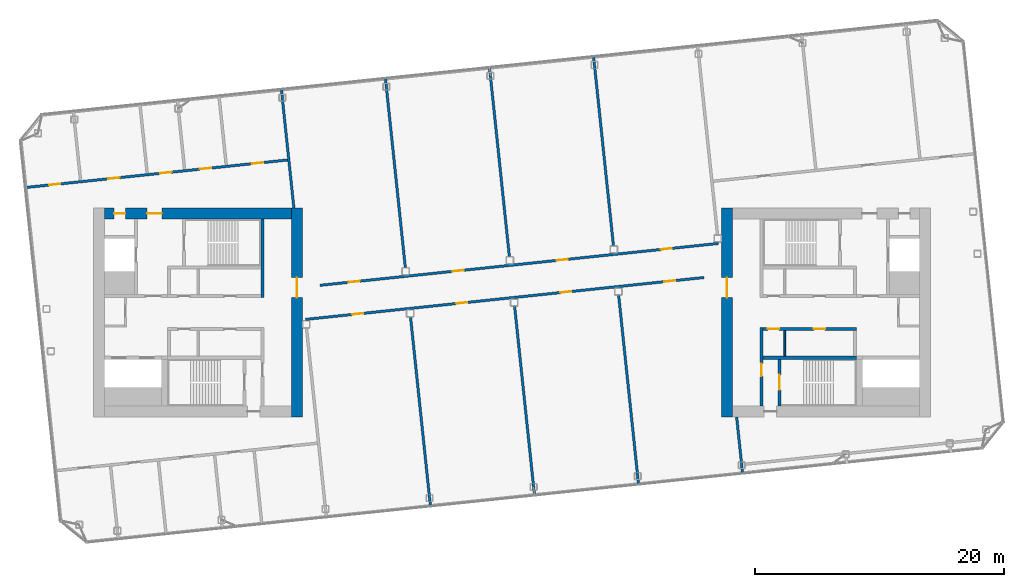
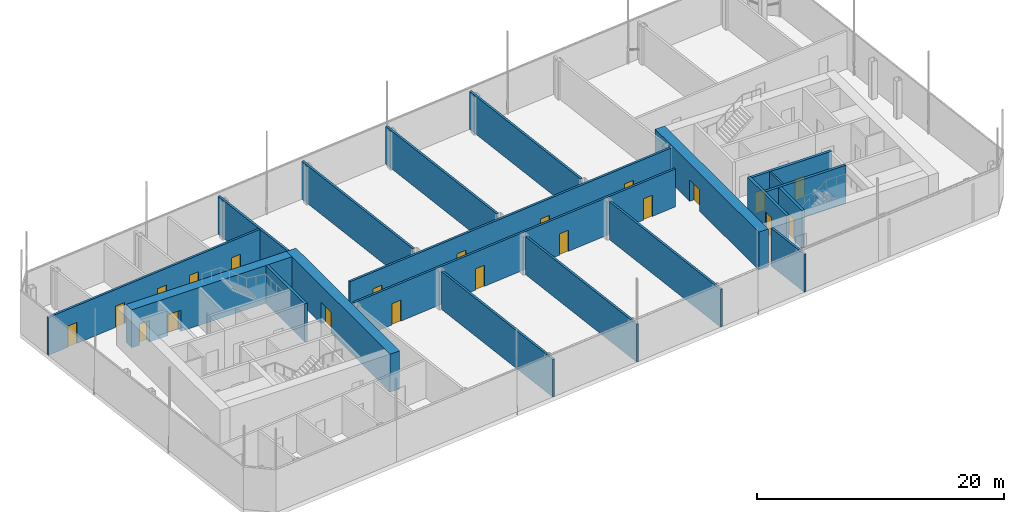
# One storey, part 18 of 41: 21 doors, 20 walls, 21 openings.
"""IFC4 building model written with IfcOpenShell, lengths in metres."""

from ifc_helpers import new_model, si_unit, direction, frame, frame_2d, origin, place, context, subcontext, project, spatial, rectangle, extrude, material, layer, layer_set, type_object, element, fill, save


model = new_model("IFC4")

# Units and contexts
model_context = context("Model", 3, precision=1e-05, world=origin(), true_north=direction((0.0, 1.0)))
body_context = subcontext(model_context, "Body", "Model", "MODEL_VIEW")
ifc_project = project(units=[si_unit("LENGTHUNIT", "METRE"), si_unit("AREAUNIT", "SQUARE_METRE"), si_unit("VOLUMEUNIT", "CUBIC_METRE"), si_unit("PLANEANGLEUNIT", "RADIAN"), si_unit("MASSUNIT", "GRAM", prefix="KILO")], contexts=[model_context])

# Site, building, storey
site_placement = place(None, origin())
site = spatial("IfcSite", under=ifc_project, at=site_placement, CompositionType="ELEMENT")
building_placement = place(site_placement, origin())
building = spatial("IfcBuilding", under=site, at=building_placement, Name="Hakoniwa Tower and Hamabe Station Hall", CompositionType="ELEMENT")
storey_placement = place(building_placement, frame((0.0, 0.0, 276.60009765625)))
storey = spatial("IfcBuildingStorey", under=building, at=storey_placement, Name="L77", CompositionType="ELEMENT", Elevation=276.60009765625)

# Wall
ifc_material_1 = material(Name="Gypsum board partition")
ifc_layer_1 = layer(ifc_material_1, 0.14990234375)
ifc_layer_set_1 = layer_set([ifc_layer_1], Name="CORE PARTITION 150 EI 60")
wall_type_1 = type_object("IfcWallType", Name="CORE PARTITION 150 EI 60", PredefinedType="PARTITIONING", material=ifc_layer_set_1)
wall_1_placement = place(storey_placement, frame((21.89990234375, -3.5, 0.0), z_axis=(0.0, 0.0, 1.0), x_axis=(0.0, 1.0, 0.0)))
element("IfcWall", 1, at=wall_1_placement, inside=storey, type_object=wall_type_1, Name="Core partition PFHR0 east", PredefinedType="PARTITIONING", context=body_context, shape_type="SweptSolid", body=[
    extrude(rectangle(XDim=2.050048828125, YDim=0.14990234375, at=frame_2d((1.02490234375, 0.0))), origin(), (0.0, 0.0, 1.0), 3.75),
])

# Wall, opening, door
ifc_material_2 = material(Name="Concrete C60", Category="concrete")
ifc_layer_2 = layer(ifc_material_2, 0.89990234375)
ifc_layer_set_2 = layer_set([ifc_layer_2], Name="CORE WALL 900 C60")
wall_type_2 = type_object("IfcWallType", Name="CORE WALL 900 C60", PredefinedType="SHEAR", material=ifc_layer_set_2)
wall_2_placement = place(storey_placement, frame((-17.25, -8.39990234375, 0.0), z_axis=(0.0, 0.0, 1.0), x_axis=(0.0, 1.0, 0.0)))
wall_2 = element("IfcWall", 2, at=wall_2_placement, inside=storey, type_object=wall_type_2, Name="Core wall INNER west", PredefinedType="SHEAR", context=body_context, shape_type="SweptSolid", body=[
    extrude(rectangle(XDim=16.7998046875, YDim=0.89990234375, at=frame_2d((8.39990234375, 0.0))), origin(), (0.0, 0.0, 1.0), 3.75),
])
opening_1_placement = place(wall_2_placement, frame((9.60009765625, 0.0, 0.0)))
opening_1 = element("IfcOpeningElement", 3, at=opening_1_placement, cuts=wall_2, Name="Opening CD-W-IN1-16", PredefinedType="OPENING", context=body_context, shape_type="SweptSolid", body=[
    extrude(rectangle(XDim=1.60009765625, YDim=2.10009765625, at=frame_2d((0.800048828125, 1.050048828125))), frame((0.0, 0.4599609375, 0.0), z_axis=(0.0, -1.0, 0.0), x_axis=(1.0, 0.0, 0.0)), (0.0, 0.0, 1.0), 0.919921875),
])
ifc_material_3 = material(Name="Steel fire door", Category="steel")
door_type_1 = type_object("IfcDoorType", Name="CORE DOOR 1600 FD60", OperationType="DOUBLE_DOOR_SINGLE_SWING", PredefinedType="DOOR", material=ifc_material_3)
door_1_placement = place(opening_1_placement, origin())
door_1 = element("IfcDoor", 4, at=door_1_placement, inside=storey, type_object=door_type_1, Name="Lift lobby door", OperationType="DOUBLE_DOOR_SINGLE_SWING", OverallHeight=2.10009765625, OverallWidth=1.60009765625, PredefinedType="DOOR", context=body_context, shape_type="SweptSolid", body=[
    extrude(rectangle(XDim=1.60009765625, YDim=2.10009765625, at=frame_2d((0.800048828125, 1.050048828125))), frame((0.0, 0.02490234375, 0.0), z_axis=(0.0, -1.0, 0.0), x_axis=(1.0, 0.0, 0.0)), (0.0, 0.0, 1.0), 0.050048828125),
])
fill(opening_1, door_1)

# Wall, openings, doors
wall_3_placement = place(storey_placement, frame((-32.699951171875, 7.949951171875, 0.0), z_axis=(0.0, 0.0, 1.0), x_axis=(1.0, 0.0, 0.0)))
wall_3 = element("IfcWall", 5, at=wall_3_placement, inside=storey, type_object=wall_type_2, Name="Core wall NORTH west", PredefinedType="SHEAR", context=body_context, shape_type="SweptSolid", body=[
    extrude(rectangle(XDim=15.0, YDim=0.89990234375, at=frame_2d((7.5, 0.0))), origin(), (0.0, 0.0, 1.0), 3.75),
])
opening_2_placement = place(wall_3_placement, frame((3.39990234375, 0.0, 0.0)))
opening_2 = element("IfcOpeningElement", 6, at=opening_2_placement, cuts=wall_3, Name="Opening CD-W-FN1-12", PredefinedType="OPENING", context=body_context, shape_type="SweptSolid", body=[
    extrude(rectangle(XDim=1.199951171875, YDim=2.10009765625, at=frame_2d((0.60009765625, 1.050048828125))), frame((0.0, 0.4599609375, 0.0), z_axis=(0.0, -1.0, 0.0), x_axis=(1.0, 0.0, 0.0)), (0.0, 0.0, 1.0), 0.919921875),
])
opening_3_placement = place(wall_3_placement, frame((0.75, 0.0, 0.0)))
opening_3 = element("IfcOpeningElement", 7, at=opening_3_placement, cuts=wall_3, Name="Opening CD-W-FN2-9", PredefinedType="OPENING", context=body_context, shape_type="SweptSolid", body=[
    extrude(rectangle(XDim=0.89990234375, YDim=2.10009765625, at=frame_2d((0.449951171875, 1.050048828125))), frame((0.0, 0.4599609375, 0.0), z_axis=(0.0, -1.0, 0.0), x_axis=(1.0, 0.0, 0.0)), (0.0, 0.0, 1.0), 0.919921875),
])
ifc_material_4 = material(Name="Steel fire door", Category="steel")
door_type_2 = type_object("IfcDoorType", Name="CORE DOOR 1200 FD60", OperationType="DOUBLE_DOOR_SINGLE_SWING", PredefinedType="DOOR", material=ifc_material_4)
door_2_placement = place(opening_2_placement, origin())
door_2 = element("IfcDoor", 8, at=door_2_placement, inside=storey, type_object=door_type_2, Name="Stair vestibule door to the fire-fighting lobby", OperationType="DOUBLE_DOOR_SINGLE_SWING", OverallHeight=2.10009765625, OverallWidth=1.199951171875, PredefinedType="DOOR", context=body_context, shape_type="SweptSolid", body=[
    extrude(rectangle(XDim=1.199951171875, YDim=2.10009765625, at=frame_2d((0.60009765625, 1.050048828125))), frame((0.0, 0.02490234375, 0.0), z_axis=(0.0, -1.0, 0.0), x_axis=(1.0, 0.0, 0.0)), (0.0, 0.0, 1.0), 0.050048828125),
])
fill(opening_2, door_2)
ifc_material_5 = material(Name="Steel fire door", Category="steel")
door_type_3 = type_object("IfcDoorType", Name="CORE DOOR 900 FD30", OperationType="NOTDEFINED", PredefinedType="DOOR", material=ifc_material_5)
door_3_placement = place(opening_3_placement, origin())
door_3 = element("IfcDoor", 9, at=door_3_placement, inside=storey, type_object=door_type_3, Name="Riser access door", OperationType="SINGLE_SWING_RIGHT", OverallHeight=2.10009765625, OverallWidth=0.89990234375, PredefinedType="DOOR", context=body_context, shape_type="SweptSolid", body=[
    extrude(rectangle(XDim=0.89990234375, YDim=2.10009765625, at=frame_2d((0.449951171875, 1.050048828125))), frame((0.0, 0.02490234375, 0.0), z_axis=(0.0, -1.0, 0.0), x_axis=(1.0, 0.0, 0.0)), (0.0, 0.0, 1.0), 0.050048828125),
])
fill(opening_3, door_3)

# Wall, opening, door
wall_4_placement = place(storey_placement, frame((17.25, -8.39990234375, 0.0), z_axis=(0.0, 0.0, 1.0), x_axis=(0.0, 1.0, 0.0)))
wall_4 = element("IfcWall", 10, at=wall_4_placement, inside=storey, type_object=wall_type_2, Name="Core wall INNER east", PredefinedType="SHEAR", context=body_context, shape_type="SweptSolid", body=[
    extrude(rectangle(XDim=16.7998046875, YDim=0.89990234375, at=frame_2d((8.39990234375, 0.0))), origin(), (0.0, 0.0, 1.0), 3.75),
])
opening_4_placement = place(wall_4_placement, frame((9.60009765625, 0.0, 0.0)))
opening_4 = element("IfcOpeningElement", 11, at=opening_4_placement, cuts=wall_4, Name="Opening CD-E-IN1-16", PredefinedType="OPENING", context=body_context, shape_type="SweptSolid", body=[
    extrude(rectangle(XDim=1.60009765625, YDim=2.10009765625, at=frame_2d((0.800048828125, 1.050048828125))), frame((0.0, 0.4599609375, 0.0), z_axis=(0.0, -1.0, 0.0), x_axis=(1.0, 0.0, 0.0)), (0.0, 0.0, 1.0), 0.919921875),
])
door_4_placement = place(opening_4_placement, origin())
door_4 = element("IfcDoor", 12, at=door_4_placement, inside=storey, type_object=door_type_1, Name="Lift lobby door", OperationType="DOUBLE_DOOR_SINGLE_SWING", OverallHeight=2.10009765625, OverallWidth=1.60009765625, PredefinedType="DOOR", context=body_context, shape_type="SweptSolid", body=[
    extrude(rectangle(XDim=1.60009765625, YDim=2.10009765625, at=frame_2d((0.800048828125, 1.050048828125))), frame((0.0, 0.02490234375, 0.0), z_axis=(0.0, -1.0, 0.0), x_axis=(1.0, 0.0, 0.0)), (0.0, 0.0, 1.0), 0.050048828125),
])
fill(opening_4, door_4)

# Wall
ifc_material_6 = material(Name="Concrete C60", Category="concrete")
ifc_layer_3 = layer(ifc_material_6, 0.25)
ifc_layer_set_3 = layer_set([ifc_layer_3], Name="CORE WEB WALL 250 C60")
wall_type_3 = type_object("IfcWallType", Name="CORE WEB WALL 250 C60", PredefinedType="SHEAR", material=ifc_layer_set_3)
wall_5_placement = place(storey_placement, frame((-20.02490234375, 1.199951171875, 0.0), z_axis=(0.0, 0.0, 1.0), x_axis=(0.0, 1.0, 0.0)))
element("IfcWall", 13, at=wall_5_placement, inside=storey, type_object=wall_type_3, Name="Core wall W1N west", PredefinedType="SHEAR", context=body_context, shape_type="SweptSolid", body=[
    extrude(rectangle(XDim=6.300048828125, YDim=0.25, at=frame_2d((3.14990234375, 0.0))), origin(), (0.0, 0.0, 1.0), 3.75),
])

# Wall, opening, door
wall_6_placement = place(storey_placement, frame((20.02490234375, -7.5, 0.0), z_axis=(0.0, 0.0, 1.0), x_axis=(0.0, 1.0, 0.0)))
wall_6 = element("IfcWall", 14, at=wall_6_placement, inside=storey, type_object=wall_type_3, Name="Core wall W1S east", PredefinedType="SHEAR", context=body_context, shape_type="SweptSolid", body=[
    extrude(rectangle(XDim=6.300048828125, YDim=0.25, at=frame_2d((3.14990234375, 0.0))), origin(), (0.0, 0.0, 1.0), 3.75),
])
opening_5_placement = place(wall_6_placement, frame((2.39990234375, 0.0, 0.0)))
opening_5 = element("IfcOpeningElement", 15, at=opening_5_placement, cuts=wall_6, Name="Opening CD-E-VS-10", PredefinedType="OPENING", context=body_context, shape_type="SweptSolid", body=[
    extrude(rectangle(XDim=1.0, YDim=2.10009765625, at=frame_2d((0.5, 1.050048828125))), frame((0.0, 0.135009765625, 0.0), z_axis=(0.0, -1.0, 0.0), x_axis=(1.0, 0.0, 0.0)), (0.0, 0.0, 1.0), 0.27001953125),
])
ifc_material_7 = material(Name="Steel fire door", Category="steel")
door_type_4 = type_object("IfcDoorType", Name="CORE DOOR 1000 FD60", OperationType="NOTDEFINED", PredefinedType="DOOR", material=ifc_material_7)
door_5_placement = place(opening_5_placement, origin())
door_5 = element("IfcDoor", 16, at=door_5_placement, inside=storey, type_object=door_type_4, Name="Stair vestibule door", OperationType="SINGLE_SWING_RIGHT", OverallHeight=2.10009765625, OverallWidth=1.0, PredefinedType="DOOR", context=body_context, shape_type="SweptSolid", body=[
    extrude(rectangle(XDim=1.0, YDim=2.10009765625, at=frame_2d((0.5, 1.050048828125))), frame((0.0, 0.02490234375, 0.0), z_axis=(0.0, -1.0, 0.0), x_axis=(1.0, 0.0, 0.0)), (0.0, 0.0, 1.0), 0.050048828125),
])
fill(opening_5, door_5)

# Wall, openings, doors
wall_7_placement = place(storey_placement, frame((20.14990234375, -1.324951171875, 0.0), z_axis=(0.0, 0.0, 1.0), x_axis=(1.0, 0.0, 0.0)))
wall_7 = element("IfcWall", 17, at=wall_7_placement, inside=storey, type_object=wall_type_3, Name="Core wall SF east", PredefinedType="SHEAR", context=body_context, shape_type="SweptSolid", body=[
    extrude(rectangle(XDim=7.5, YDim=0.25, at=frame_2d((3.75, 0.0))), origin(), (0.0, 0.0, 1.0), 3.75),
])
opening_6_placement = place(wall_7_placement, frame((0.387451171875, 0.0, 0.0)))
opening_6 = element("IfcOpeningElement", 18, at=opening_6_placement, cuts=wall_7, Name="Opening CD-E-FRHR2-9", PredefinedType="OPENING", context=body_context, shape_type="SweptSolid", body=[
    extrude(rectangle(XDim=0.89990234375, YDim=2.10009765625, at=frame_2d((0.449951171875, 1.050048828125))), frame((0.0, 0.135009765625, 0.0), z_axis=(0.0, -1.0, 0.0), x_axis=(1.0, 0.0, 0.0)), (0.0, 0.0, 1.0), 0.27001953125),
])
opening_7_placement = place(wall_7_placement, frame((4.08740234375, 0.0, 0.0)))
opening_7 = element("IfcOpeningElement", 19, at=opening_7_placement, cuts=wall_7, Name="Opening CD-E-FRHR3-9", PredefinedType="OPENING", context=body_context, shape_type="SweptSolid", body=[
    extrude(rectangle(XDim=0.89990234375, YDim=2.10009765625, at=frame_2d((0.449951171875, 1.050048828125))), frame((0.0, 0.135009765625, 0.0), z_axis=(0.0, -1.0, 0.0), x_axis=(1.0, 0.0, 0.0)), (0.0, 0.0, 1.0), 0.27001953125),
])
door_6_placement = place(opening_6_placement, origin())
door_6 = element("IfcDoor", 20, at=door_6_placement, inside=storey, type_object=door_type_3, Name="Store room door", OperationType="SINGLE_SWING_RIGHT", OverallHeight=2.10009765625, OverallWidth=0.89990234375, PredefinedType="DOOR", context=body_context, shape_type="SweptSolid", body=[
    extrude(rectangle(XDim=0.89990234375, YDim=2.10009765625, at=frame_2d((0.449951171875, 1.050048828125))), frame((0.0, 0.02490234375, 0.0), z_axis=(0.0, -1.0, 0.0), x_axis=(1.0, 0.0, 0.0)), (0.0, 0.0, 1.0), 0.050048828125),
])
fill(opening_6, door_6)
door_7_placement = place(opening_7_placement, origin())
door_7 = element("IfcDoor", 21, at=door_7_placement, inside=storey, type_object=door_type_3, Name="Store room door", OperationType="SINGLE_SWING_RIGHT", OverallHeight=2.10009765625, OverallWidth=0.89990234375, PredefinedType="DOOR", context=body_context, shape_type="SweptSolid", body=[
    extrude(rectangle(XDim=0.89990234375, YDim=2.10009765625, at=frame_2d((0.449951171875, 1.050048828125))), frame((0.0, 0.02490234375, 0.0), z_axis=(0.0, -1.0, 0.0), x_axis=(1.0, 0.0, 0.0)), (0.0, 0.0, 1.0), 0.050048828125),
])
fill(opening_7, door_7)

# Wall
wall_8_placement = place(storey_placement, frame((20.14990234375, -3.625, 0.0), z_axis=(0.0, 0.0, 1.0), x_axis=(1.0, 0.0, 0.0)))
element("IfcWall", 22, at=wall_8_placement, inside=storey, type_object=wall_type_3, Name="Core wall SR east", PredefinedType="SHEAR", context=body_context, shape_type="SweptSolid", body=[
    extrude(rectangle(XDim=7.5, YDim=0.25, at=frame_2d((3.75, 0.0))), origin(), (0.0, 0.0, 1.0), 3.75),
])

# Wall, opening, door
wall_9_placement = place(storey_placement, frame((21.47509765625, -7.5, 0.0), z_axis=(0.0, 0.0, 1.0), x_axis=(0.0, 1.0, 0.0)))
wall_9 = element("IfcWall", 23, at=wall_9_placement, inside=storey, type_object=wall_type_3, Name="Core wall VE east", PredefinedType="SHEAR", context=body_context, shape_type="SweptSolid", body=[
    extrude(rectangle(XDim=3.75, YDim=0.25, at=frame_2d((1.875, 0.0))), origin(), (0.0, 0.0, 1.0), 3.75),
])
opening_8_placement = place(wall_9_placement, frame((1.300048828125, 0.0, 0.0)))
opening_8 = element("IfcOpeningElement", 24, at=opening_8_placement, cuts=wall_9, Name="Opening CD-E-SS-12", PredefinedType="OPENING", context=body_context, shape_type="SweptSolid", body=[
    extrude(rectangle(XDim=1.199951171875, YDim=2.10009765625, at=frame_2d((0.60009765625, 1.050048828125))), frame((0.0, 0.135009765625, 0.0), z_axis=(0.0, -1.0, 0.0), x_axis=(1.0, 0.0, 0.0)), (0.0, 0.0, 1.0), 0.27001953125),
])
door_8_placement = place(opening_8_placement, origin())
door_8 = element("IfcDoor", 25, at=door_8_placement, inside=storey, type_object=door_type_2, Name="Escape stair door", OperationType="DOUBLE_DOOR_SINGLE_SWING", OverallHeight=2.10009765625, OverallWidth=1.199951171875, PredefinedType="DOOR", context=body_context, shape_type="SweptSolid", body=[
    extrude(rectangle(XDim=1.199951171875, YDim=2.10009765625, at=frame_2d((0.60009765625, 1.050048828125))), frame((0.0, 0.02490234375, 0.0), z_axis=(0.0, -1.0, 0.0), x_axis=(1.0, 0.0, 0.0)), (0.0, 0.0, 1.0), 0.050048828125),
])
fill(opening_8, door_8)

# Wall, openings, doors
ifc_material_8 = material(Name="Fire-rated gypsum board partition", Category="gypsum")
ifc_layer_4 = layer(ifc_material_8, 0.199951171875)
ifc_layer_set_4 = layer_set([ifc_layer_4], Name="Corridor Wall 200")
wall_type_4 = type_object("IfcWallType", Name="Corridor Wall 200", PredefinedType="PARTITIONING", material=ifc_layer_set_4)
wall_10_placement = place(storey_placement, frame((-16.572021484375, -0.549072265625, 0.0), z_axis=(0.0, 0.0, 1.0), x_axis=(0.994521160982, 0.104535450248, 0.0)))
wall_10 = element("IfcWall", 26, at=wall_10_placement, inside=storey, type_object=wall_type_4, Name="GW-L77-003", PredefinedType="PARTITIONING", context=body_context, shape_type="SweptSolid", body=[
    extrude(rectangle(XDim=32.1689453125, YDim=0.199951171875, at=frame_2d((16.08447265625, 0.0))), origin(), (0.0, 0.0, 1.0), 3.75),
])
opening_9_placement = place(wall_10_placement, frame((3.75, 0.0, 0.0)))
opening_9 = element("IfcOpeningElement", 27, at=opening_9_placement, cuts=wall_10, Name="Opening GD-SL77-06", PredefinedType="OPENING", context=body_context, shape_type="SweptSolid", body=[
    extrude(rectangle(XDim=0.89990234375, YDim=2.10009765625, at=frame_2d((0.449951171875, 1.050048828125))), frame((0.0, 0.10986328125, 0.0), z_axis=(0.0, -1.0, 0.0), x_axis=(1.0, 0.0, 0.0)), (0.0, 0.0, 1.0), 0.219970703125),
])
opening_10_placement = place(wall_10_placement, frame((12.14990234375, 0.0, 0.0)))
opening_10 = element("IfcOpeningElement", 28, at=opening_10_placement, cuts=wall_10, Name="Opening GD-SL77-07", PredefinedType="OPENING", context=body_context, shape_type="SweptSolid", body=[
    extrude(rectangle(XDim=0.89990234375, YDim=2.10009765625, at=frame_2d((0.449951171875, 1.050048828125))), frame((0.0, 0.10986328125, 0.0), z_axis=(0.0, -1.0, 0.0), x_axis=(1.0, 0.0, 0.0)), (0.0, 0.0, 1.0), 0.219970703125),
])
opening_11_placement = place(wall_10_placement, frame((20.550048828125, 0.0, 0.0)))
opening_11 = element("IfcOpeningElement", 29, at=opening_11_placement, cuts=wall_10, Name="Opening GD-SL77-08", PredefinedType="OPENING", context=body_context, shape_type="SweptSolid", body=[
    extrude(rectangle(XDim=0.89990234375, YDim=2.10009765625, at=frame_2d((0.449951171875, 1.050048828125))), frame((0.0, 0.10986328125, 0.0), z_axis=(0.0, -1.0, 0.0), x_axis=(1.0, 0.0, 0.0)), (0.0, 0.0, 1.0), 0.219970703125),
])
opening_12_placement = place(wall_10_placement, frame((28.949951171875, 0.0, 0.0)))
opening_12 = element("IfcOpeningElement", 30, at=opening_12_placement, cuts=wall_10, Name="Opening GD-SL77-09", PredefinedType="OPENING", context=body_context, shape_type="SweptSolid", body=[
    extrude(rectangle(XDim=0.89990234375, YDim=2.10009765625, at=frame_2d((0.449951171875, 1.050048828125))), frame((0.0, 0.10986328125, 0.0), z_axis=(0.0, -1.0, 0.0), x_axis=(1.0, 0.0, 0.0)), (0.0, 0.0, 1.0), 0.219970703125),
])
ifc_material_9 = material(Name="Timber door leaf", Category="wood")
door_type_5 = type_object("IfcDoorType", Name="Service Door 900", OperationType="SINGLE_SWING_LEFT", PredefinedType="DOOR", material=ifc_material_9)
door_9_placement = place(opening_9_placement, origin())
door_9 = element("IfcDoor", 31, at=door_9_placement, inside=storey, type_object=door_type_5, Name="Door GD-SL77-06", OperationType="SINGLE_SWING_LEFT", OverallHeight=2.10009765625, OverallWidth=0.89990234375, PredefinedType="DOOR", context=body_context, shape_type="SweptSolid", body=[
    extrude(rectangle(XDim=0.89990234375, YDim=2.10009765625, at=frame_2d((0.449951171875, 1.050048828125))), frame((0.0, 0.02490234375, 0.0), z_axis=(0.0, -1.0, 0.0), x_axis=(1.0, 0.0, 0.0)), (0.0, 0.0, 1.0), 0.050048828125),
])
fill(opening_9, door_9)
door_10_placement = place(opening_10_placement, origin())
door_10 = element("IfcDoor", 32, at=door_10_placement, inside=storey, type_object=door_type_5, Name="Door GD-SL77-07", OperationType="SINGLE_SWING_RIGHT", OverallHeight=2.10009765625, OverallWidth=0.89990234375, PredefinedType="DOOR", context=body_context, shape_type="SweptSolid", body=[
    extrude(rectangle(XDim=0.89990234375, YDim=2.10009765625, at=frame_2d((0.449951171875, 1.050048828125))), frame((0.0, 0.02490234375, 0.0), z_axis=(0.0, -1.0, 0.0), x_axis=(1.0, 0.0, 0.0)), (0.0, 0.0, 1.0), 0.050048828125),
])
fill(opening_10, door_10)
door_11_placement = place(opening_11_placement, origin())
door_11 = element("IfcDoor", 33, at=door_11_placement, inside=storey, type_object=door_type_5, Name="Door GD-SL77-08", OperationType="SINGLE_SWING_LEFT", OverallHeight=2.10009765625, OverallWidth=0.89990234375, PredefinedType="DOOR", context=body_context, shape_type="SweptSolid", body=[
    extrude(rectangle(XDim=0.89990234375, YDim=2.10009765625, at=frame_2d((0.449951171875, 1.050048828125))), frame((0.0, 0.02490234375, 0.0), z_axis=(0.0, -1.0, 0.0), x_axis=(1.0, 0.0, 0.0)), (0.0, 0.0, 1.0), 0.050048828125),
])
fill(opening_11, door_11)
door_12_placement = place(opening_12_placement, origin())
door_12 = element("IfcDoor", 34, at=door_12_placement, inside=storey, type_object=door_type_5, Name="Door GD-SL77-09", OperationType="SINGLE_SWING_RIGHT", OverallHeight=2.10009765625, OverallWidth=0.89990234375, PredefinedType="DOOR", context=body_context, shape_type="SweptSolid", body=[
    extrude(rectangle(XDim=0.89990234375, YDim=2.10009765625, at=frame_2d((0.449951171875, 1.050048828125))), frame((0.0, 0.02490234375, 0.0), z_axis=(0.0, -1.0, 0.0), x_axis=(1.0, 0.0, 0.0)), (0.0, 0.0, 1.0), 0.050048828125),
])
fill(opening_12, door_12)

wall_11_placement = place(storey_placement, frame((-15.419921875, 2.1865234375, 0.0), z_axis=(0.0, 0.0, 1.0), x_axis=(0.994521701188, 0.104530310751, 0.0)))
wall_11 = element("IfcWall", 35, at=wall_11_placement, inside=storey, type_object=wall_type_4, Name="GW-L77-004", PredefinedType="PARTITIONING", context=body_context, shape_type="SweptSolid", body=[
    extrude(rectangle(XDim=32.168212890625, YDim=0.199951171875, at=frame_2d((16.083984375, 0.0))), origin(), (0.0, 0.0, 1.0), 3.75),
])
opening_13_placement = place(wall_11_placement, frame((2.318359375, 0.0, 0.0)))
opening_13 = element("IfcOpeningElement", 36, at=opening_13_placement, cuts=wall_11, Name="Opening GD-SL77-10", PredefinedType="OPENING", context=body_context, shape_type="SweptSolid", body=[
    extrude(rectangle(XDim=0.89990234375, YDim=2.10009765625, at=frame_2d((0.449951171875, 1.050048828125))), frame((0.0, 0.10986328125, 0.0), z_axis=(0.0, -1.0, 0.0), x_axis=(1.0, 0.0, 0.0)), (0.0, 0.0, 1.0), 0.219970703125),
])
opening_14_placement = place(wall_11_placement, frame((10.71826171875, 0.0, 0.0)))
opening_14 = element("IfcOpeningElement", 37, at=opening_14_placement, cuts=wall_11, Name="Opening GD-SL77-11", PredefinedType="OPENING", context=body_context, shape_type="SweptSolid", body=[
    extrude(rectangle(XDim=0.89990234375, YDim=2.10009765625, at=frame_2d((0.449951171875, 1.050048828125))), frame((0.0, 0.10986328125, 0.0), z_axis=(0.0, -1.0, 0.0), x_axis=(1.0, 0.0, 0.0)), (0.0, 0.0, 1.0), 0.219970703125),
])
opening_15_placement = place(wall_11_placement, frame((19.118408203125, 0.0, 0.0)))
opening_15 = element("IfcOpeningElement", 38, at=opening_15_placement, cuts=wall_11, Name="Opening GD-SL77-12", PredefinedType="OPENING", context=body_context, shape_type="SweptSolid", body=[
    extrude(rectangle(XDim=0.89990234375, YDim=2.10009765625, at=frame_2d((0.449951171875, 1.050048828125))), frame((0.0, 0.10986328125, 0.0), z_axis=(0.0, -1.0, 0.0), x_axis=(1.0, 0.0, 0.0)), (0.0, 0.0, 1.0), 0.219970703125),
])
opening_16_placement = place(wall_11_placement, frame((27.518310546875, 0.0, 0.0)))
opening_16 = element("IfcOpeningElement", 39, at=opening_16_placement, cuts=wall_11, Name="Opening GD-SL77-13", PredefinedType="OPENING", context=body_context, shape_type="SweptSolid", body=[
    extrude(rectangle(XDim=0.89990234375, YDim=2.10009765625, at=frame_2d((0.449951171875, 1.050048828125))), frame((0.0, 0.10986328125, 0.0), z_axis=(0.0, -1.0, 0.0), x_axis=(1.0, 0.0, 0.0)), (0.0, 0.0, 1.0), 0.219970703125),
])
door_13_placement = place(opening_13_placement, origin())
door_13 = element("IfcDoor", 40, at=door_13_placement, inside=storey, type_object=door_type_5, Name="Door GD-SL77-10", OperationType="SINGLE_SWING_LEFT", OverallHeight=2.10009765625, OverallWidth=0.89990234375, PredefinedType="DOOR", context=body_context, shape_type="SweptSolid", body=[
    extrude(rectangle(XDim=0.89990234375, YDim=2.10009765625, at=frame_2d((0.449951171875, 1.050048828125))), frame((0.0, 0.02490234375, 0.0), z_axis=(0.0, -1.0, 0.0), x_axis=(1.0, 0.0, 0.0)), (0.0, 0.0, 1.0), 0.050048828125),
])
fill(opening_13, door_13)
door_14_placement = place(opening_14_placement, origin())
door_14 = element("IfcDoor", 41, at=door_14_placement, inside=storey, type_object=door_type_5, Name="Door GD-SL77-11", OperationType="SINGLE_SWING_RIGHT", OverallHeight=2.10009765625, OverallWidth=0.89990234375, PredefinedType="DOOR", context=body_context, shape_type="SweptSolid", body=[
    extrude(rectangle(XDim=0.89990234375, YDim=2.10009765625, at=frame_2d((0.449951171875, 1.050048828125))), frame((0.0, 0.02490234375, 0.0), z_axis=(0.0, -1.0, 0.0), x_axis=(1.0, 0.0, 0.0)), (0.0, 0.0, 1.0), 0.050048828125),
])
fill(opening_14, door_14)
door_15_placement = place(opening_15_placement, origin())
door_15 = element("IfcDoor", 42, at=door_15_placement, inside=storey, type_object=door_type_5, Name="Door GD-SL77-12", OperationType="SINGLE_SWING_LEFT", OverallHeight=2.10009765625, OverallWidth=0.89990234375, PredefinedType="DOOR", context=body_context, shape_type="SweptSolid", body=[
    extrude(rectangle(XDim=0.89990234375, YDim=2.10009765625, at=frame_2d((0.449951171875, 1.050048828125))), frame((0.0, 0.02490234375, 0.0), z_axis=(0.0, -1.0, 0.0), x_axis=(1.0, 0.0, 0.0)), (0.0, 0.0, 1.0), 0.050048828125),
])
fill(opening_15, door_15)
door_16_placement = place(opening_16_placement, origin())
door_16 = element("IfcDoor", 43, at=door_16_placement, inside=storey, type_object=door_type_5, Name="Door GD-SL77-13", OperationType="SINGLE_SWING_RIGHT", OverallHeight=2.10009765625, OverallWidth=0.89990234375, PredefinedType="DOOR", context=body_context, shape_type="SweptSolid", body=[
    extrude(rectangle(XDim=0.89990234375, YDim=2.10009765625, at=frame_2d((0.449951171875, 1.050048828125))), frame((0.0, 0.02490234375, 0.0), z_axis=(0.0, -1.0, 0.0), x_axis=(1.0, 0.0, 0.0)), (0.0, 0.0, 1.0), 0.050048828125),
])
fill(opening_16, door_16)

wall_12_placement = place(storey_placement, frame((-39.101806640625, 10.033935546875, 0.0), z_axis=(0.0, 0.0, 1.0), x_axis=(0.994522585465, 0.104521897229, 0.0)))
wall_12 = element("IfcWall", 44, at=wall_12_placement, inside=storey, type_object=wall_type_4, Name="GW-L77-006", PredefinedType="PARTITIONING", context=body_context, shape_type="SweptSolid", body=[
    extrude(rectangle(XDim=21.300048828125, YDim=0.199951171875, at=frame_2d((10.64990234375, 0.0))), origin(), (0.0, 0.0, 1.0), 3.75),
])
opening_17_placement = place(wall_12_placement, frame((1.949951171875, 0.0, 0.0)))
opening_17 = element("IfcOpeningElement", 45, at=opening_17_placement, cuts=wall_12, Name="Opening GD-SL77-17", PredefinedType="OPENING", context=body_context, shape_type="SweptSolid", body=[
    extrude(rectangle(XDim=0.89990234375, YDim=2.10009765625, at=frame_2d((0.449951171875, 1.050048828125))), frame((0.0, 0.10986328125, 0.0), z_axis=(0.0, -1.0, 0.0), x_axis=(1.0, 0.0, 0.0)), (0.0, 0.0, 1.0), 0.219970703125),
])
opening_18_placement = place(wall_12_placement, frame((6.739990234375, 0.0, 0.0)))
opening_18 = element("IfcOpeningElement", 46, at=opening_18_placement, cuts=wall_12, Name="Opening GD-SL77-18", PredefinedType="OPENING", context=body_context, shape_type="SweptSolid", body=[
    extrude(rectangle(XDim=0.89990234375, YDim=2.10009765625, at=frame_2d((0.449951171875, 1.050048828125))), frame((0.0, 0.10986328125, 0.0), z_axis=(0.0, -1.0, 0.0), x_axis=(1.0, 0.0, 0.0)), (0.0, 0.0, 1.0), 0.219970703125),
])
opening_19_placement = place(wall_12_placement, frame((10.93994140625, 0.0, 0.0)))
opening_19 = element("IfcOpeningElement", 47, at=opening_19_placement, cuts=wall_12, Name="Opening GD-SL77-19", PredefinedType="OPENING", context=body_context, shape_type="SweptSolid", body=[
    extrude(rectangle(XDim=0.89990234375, YDim=2.10009765625, at=frame_2d((0.449951171875, 1.050048828125))), frame((0.0, 0.10986328125, 0.0), z_axis=(0.0, -1.0, 0.0), x_axis=(1.0, 0.0, 0.0)), (0.0, 0.0, 1.0), 0.219970703125),
])
opening_20_placement = place(wall_12_placement, frame((14.1298828125, 0.0, 0.0)))
opening_20 = element("IfcOpeningElement", 48, at=opening_20_placement, cuts=wall_12, Name="Opening GD-SL77-20", PredefinedType="OPENING", context=body_context, shape_type="SweptSolid", body=[
    extrude(rectangle(XDim=0.89990234375, YDim=2.10009765625, at=frame_2d((0.449951171875, 1.050048828125))), frame((0.0, 0.10986328125, 0.0), z_axis=(0.0, -1.0, 0.0), x_axis=(1.0, 0.0, 0.0)), (0.0, 0.0, 1.0), 0.219970703125),
])
opening_21_placement = place(wall_12_placement, frame((18.330078125, 0.0, 0.0)))
opening_21 = element("IfcOpeningElement", 49, at=opening_21_placement, cuts=wall_12, Name="Opening GD-SL77-21", PredefinedType="OPENING", context=body_context, shape_type="SweptSolid", body=[
    extrude(rectangle(XDim=0.89990234375, YDim=2.10009765625, at=frame_2d((0.449951171875, 1.050048828125))), frame((0.0, 0.10986328125, 0.0), z_axis=(0.0, -1.0, 0.0), x_axis=(1.0, 0.0, 0.0)), (0.0, 0.0, 1.0), 0.219970703125),
])
door_17_placement = place(opening_17_placement, origin())
door_17 = element("IfcDoor", 50, at=door_17_placement, inside=storey, type_object=door_type_5, Name="Door GD-SL77-17", OperationType="SINGLE_SWING_LEFT", OverallHeight=2.10009765625, OverallWidth=0.89990234375, PredefinedType="DOOR", context=body_context, shape_type="SweptSolid", body=[
    extrude(rectangle(XDim=0.89990234375, YDim=2.10009765625, at=frame_2d((0.449951171875, 1.050048828125))), frame((0.0, 0.02490234375, 0.0), z_axis=(0.0, -1.0, 0.0), x_axis=(1.0, 0.0, 0.0)), (0.0, 0.0, 1.0), 0.050048828125),
])
fill(opening_17, door_17)
door_18_placement = place(opening_18_placement, origin())
door_18 = element("IfcDoor", 51, at=door_18_placement, inside=storey, type_object=door_type_5, Name="Door GD-SL77-18", OperationType="SINGLE_SWING_LEFT", OverallHeight=2.10009765625, OverallWidth=0.89990234375, PredefinedType="DOOR", context=body_context, shape_type="SweptSolid", body=[
    extrude(rectangle(XDim=0.89990234375, YDim=2.10009765625, at=frame_2d((0.449951171875, 1.050048828125))), frame((0.0, 0.02490234375, 0.0), z_axis=(0.0, -1.0, 0.0), x_axis=(1.0, 0.0, 0.0)), (0.0, 0.0, 1.0), 0.050048828125),
])
fill(opening_18, door_18)
door_19_placement = place(opening_19_placement, origin())
door_19 = element("IfcDoor", 52, at=door_19_placement, inside=storey, type_object=door_type_5, Name="Door GD-SL77-19", OperationType="SINGLE_SWING_RIGHT", OverallHeight=2.10009765625, OverallWidth=0.89990234375, PredefinedType="DOOR", context=body_context, shape_type="SweptSolid", body=[
    extrude(rectangle(XDim=0.89990234375, YDim=2.10009765625, at=frame_2d((0.449951171875, 1.050048828125))), frame((0.0, 0.02490234375, 0.0), z_axis=(0.0, -1.0, 0.0), x_axis=(1.0, 0.0, 0.0)), (0.0, 0.0, 1.0), 0.050048828125),
])
fill(opening_19, door_19)
door_20_placement = place(opening_20_placement, origin())
door_20 = element("IfcDoor", 53, at=door_20_placement, inside=storey, type_object=door_type_5, Name="Door GD-SL77-20", OperationType="SINGLE_SWING_RIGHT", OverallHeight=2.10009765625, OverallWidth=0.89990234375, PredefinedType="DOOR", context=body_context, shape_type="SweptSolid", body=[
    extrude(rectangle(XDim=0.89990234375, YDim=2.10009765625, at=frame_2d((0.449951171875, 1.050048828125))), frame((0.0, 0.02490234375, 0.0), z_axis=(0.0, -1.0, 0.0), x_axis=(1.0, 0.0, 0.0)), (0.0, 0.0, 1.0), 0.050048828125),
])
fill(opening_20, door_20)
door_21_placement = place(opening_21_placement, origin())
door_21 = element("IfcDoor", 54, at=door_21_placement, inside=storey, type_object=door_type_5, Name="Door GD-SL77-21", OperationType="SINGLE_SWING_LEFT", OverallHeight=2.10009765625, OverallWidth=0.89990234375, PredefinedType="DOOR", context=body_context, shape_type="SweptSolid", body=[
    extrude(rectangle(XDim=0.89990234375, YDim=2.10009765625, at=frame_2d((0.449951171875, 1.050048828125))), frame((0.0, 0.02490234375, 0.0), z_axis=(0.0, -1.0, 0.0), x_axis=(1.0, 0.0, 0.0)), (0.0, 0.0, 1.0), 0.050048828125),
])
fill(opening_21, door_21)

# Walls
ifc_material_10 = material(Name="Fire-rated gypsum board partition", Category="gypsum")
ifc_layer_5 = layer(ifc_material_10, 0.199951171875)
ifc_layer_set_5 = layer_set([ifc_layer_5], Name="Party Wall 200")
wall_type_5 = type_object("IfcWallType", Name="Party Wall 200", PredefinedType="PARTITIONING", material=ifc_layer_set_5)
wall_13_placement = place(storey_placement, frame((-17.51220703125, 8.39501953125, 0.0), z_axis=(0.0, 0.0, 1.0), x_axis=(-0.104524714473, 0.994522289375, 0.0)))
element("IfcWall", 55, at=wall_13_placement, inside=storey, type_object=wall_type_5, Name="GW-L77-016", PredefinedType="PARTITIONING", context=body_context, shape_type="SweptSolid", body=[
    extrude(rectangle(XDim=9.60693359375, YDim=0.199951171875, at=frame_2d((4.803466796875, 0.0))), origin(), (0.0, 0.0, 1.0), 3.75),
])
for number, where, z_axis, x_axis, name in (
    (56, (-6.545654296875, -15.583251953125, 0.0), (0.0, 0.0, 1.0), (-0.104523729364, 0.99452239291, 0.0), "GW-L77-017"),
    (57, (-8.562255859375, 3.6025390625, 0.0), (0.0, 0.0, 1.0), (-0.104523729364, 0.99452239291, 0.0), "GW-L77-018"),
    (58, (1.808349609375, -14.705322265625, 0.0), (0.0, 0.0, 1.0), (-0.104523729364, 0.99452239291, 0.0), "GW-L77-019"),
    (59, (-0.208251953125, 4.480712890625, 0.0), (0.0, 0.0, 1.0), (-0.104523729364, 0.99452239291, 0.0), "GW-L77-020"),
    (60, (10.162353515625, -13.8271484375, 0.0), (0.0, 0.0, 1.0), (-0.104523729364, 0.99452239291, 0.0), "GW-L77-021"),
    (61, (8.145751953125, 5.358642578125, 0.0), (0.0, 0.0, 1.0), (-0.104523729364, 0.99452239291, 0.0), "GW-L77-022"),
):
    element("IfcWall", number, at=place(storey_placement, frame(where, z_axis=z_axis, x_axis=x_axis)), inside=storey, type_object=wall_type_5, Name=name, PredefinedType="PARTITIONING", context=body_context, shape_type="SweptSolid", body=[
        extrude(rectangle(XDim=15.308349609375, YDim=0.199951171875, at=frame_2d((7.654296875, 0.0))), origin(), (0.0, 0.0, 1.0), 3.75),
    ])
wall_14_placement = place(storey_placement, frame((18.516357421875, -12.94921875, 0.0), z_axis=(0.0, 0.0, 1.0), x_axis=(-0.104548796268, 0.994519758074, 0.0)))
element("IfcWall", 62, at=wall_14_placement, inside=storey, type_object=wall_type_5, Name="GW-L77-023", PredefinedType="PARTITIONING", context=body_context, shape_type="SweptSolid", body=[
    extrude(rectangle(XDim=4.579345703125, YDim=0.199951171875, at=frame_2d((2.28955078125, 0.0))), origin(), (0.0, 0.0, 1.0), 3.75),
])

save(model, "model.ifc")
